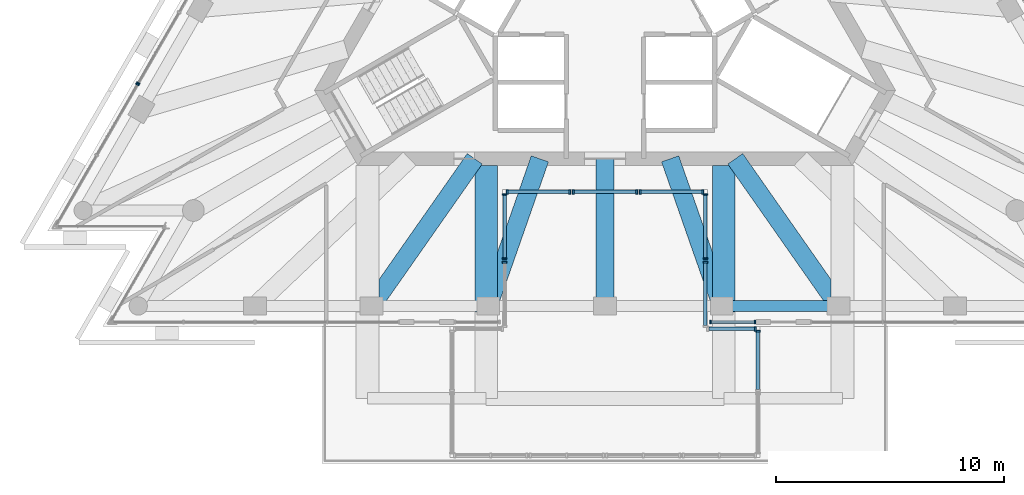
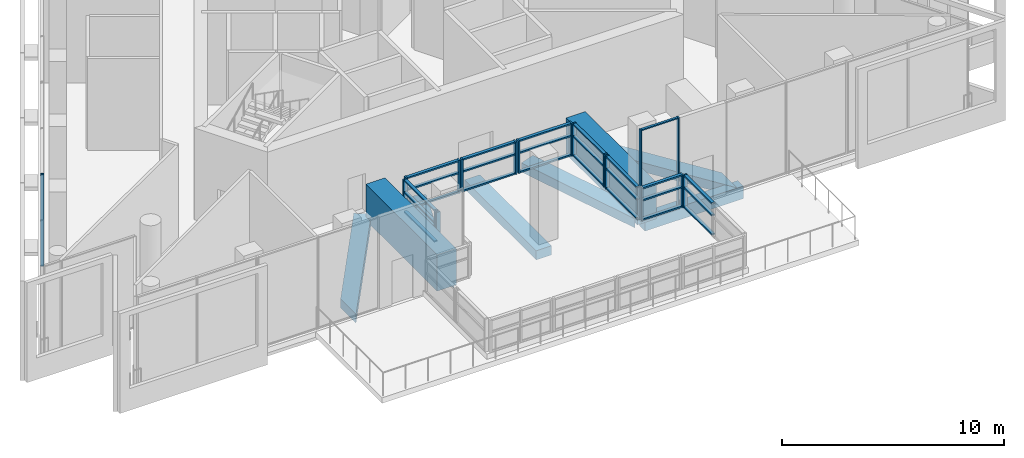
# One storey, part 4 of 17: 44 members, 8 beams, 12 elements without a shape of their own.
"""IFC4 building model written with IfcOpenShell, lengths in metres."""

from ifc_helpers import new_model, si_unit, direction, frame, origin, origin_2d, place, context, subcontext, project, spatial, rectangle, extrude, clip, halfspace, material, layer, layer_set, material_profile, profile_set, type_object, element, aggregate, save


model = new_model("IFC4")

# Units and contexts
model_context = context("Model", 3, precision=1e-05, world=origin(), true_north=direction((0.0, 1.0)))
body_context = subcontext(model_context, "Body", "Model", "MODEL_VIEW")
ifc_project = project(units=[si_unit("LENGTHUNIT", "METRE"), si_unit("AREAUNIT", "SQUARE_METRE"), si_unit("VOLUMEUNIT", "CUBIC_METRE"), si_unit("PLANEANGLEUNIT", "RADIAN"), si_unit("MASSUNIT", "GRAM", prefix="KILO")], contexts=[model_context])

# Site, building, storey
site_placement = place(None, origin())
site = spatial("IfcSite", under=ifc_project, at=site_placement, CompositionType="ELEMENT")
building_placement = place(site_placement, origin())
building = spatial("IfcBuilding", under=site, at=building_placement, Name="Triada Interchange Tower", CompositionType="ELEMENT")
storey_placement = place(building_placement, frame((0.0, 0.0, 322.300048828125)))
storey = spatial("IfcBuildingStorey", under=building, at=storey_placement, Name="L77", CompositionType="ELEMENT", Elevation=322.300048828125)

# Curtain wall, member
ifc_material_1 = material(Name="Aluminium framed glazing", Category="aluminium")
ifc_layer_1 = layer(ifc_material_1, 0.199951171875)
ifc_layer_set_1 = layer_set([ifc_layer_1], Name="Curtain wall Sky lobby glazing")
curtain_wall_type_1 = type_object("IfcCurtainWallType", Name="Curtain wall Sky lobby glazing", PredefinedType="NOTDEFINED", material=ifc_layer_set_1)
curtain_wall_1_placement = place(storey_placement, origin())
curtain_wall_1 = element("IfcCurtainWall", 1, at=curtain_wall_1_placement, inside=storey, type_object=curtain_wall_type_1, Name="Sky lobby glazing CW305 L77", PredefinedType="NOTDEFINED")
ifc_material_2 = material(Name="Aluminium", Category="aluminium")
ifc_material_profile_1 = material_profile(ifc_material_2, rectangle(XDim=0.159912109375, YDim=0.06005859375, at=origin_2d()), Name="Aluminium mullion")
ifc_profile_set_1 = profile_set([ifc_material_profile_1], Name="Aluminium")
member_type_1 = type_object("IfcMemberType", Name="Mullion Sky lobby glazing 160x60", PredefinedType="MULLION", material=ifc_profile_set_1)
member_1_placement = place(storey_placement, frame((-20.4560546875, -4.830078125, 0.0), z_axis=(0.0, 0.0, 1.0), x_axis=(0.866007823062, -0.500030449467, 0.0)))
member_1 = element("IfcMember", 2, at=member_1_placement, type_object=member_type_1, Name="CW305 mullion 3", PredefinedType="MULLION", context=body_context, shape_type="SweptSolid", body=[
    extrude(rectangle(XDim=0.159912109375, YDim=0.06005859375, at=origin_2d()), origin(), (0.0, 0.0, 1.0), 5.050048828125),
])
aggregate(curtain_wall_1, [member_1])

curtain_wall_2_placement = place(storey_placement, origin())
curtain_wall_2 = element("IfcCurtainWall", 3, at=curtain_wall_2_placement, inside=storey, type_object=curtain_wall_type_1, Name="Sky lobby glazing CW306 L77", PredefinedType="NOTDEFINED")
member_2_placement = place(storey_placement, frame((-20.490966796875, -4.889892578125, 0.0), z_axis=(0.0, 0.0, 1.0), x_axis=(0.866026395584, -0.49999828215, 0.0)))
member_2 = element("IfcMember", 4, at=member_2_placement, type_object=member_type_1, Name="CW306 mullion 1", PredefinedType="MULLION", context=body_context, shape_type="SweptSolid", body=[
    extrude(rectangle(XDim=0.159912109375, YDim=0.06005859375, at=origin_2d()), origin(), (0.0, 0.0, 1.0), 5.050048828125),
])
aggregate(curtain_wall_2, [member_2])

# Curtain wall, members
curtain_wall_3_placement = place(storey_placement, origin())
curtain_wall_3 = element("IfcCurtainWall", 5, at=curtain_wall_3_placement, inside=storey, type_object=curtain_wall_type_1, Name="Sky lobby glazing CW312 L77", PredefinedType="NOTDEFINED")
member_3_placement = place(storey_placement, frame((4.6298828125, -15.300048828125, 0.0), z_axis=(0.0, 0.0, 1.0), x_axis=(0.0, 1.0, 0.0)))
member_3 = element("IfcMember", 6, at=member_3_placement, type_object=member_type_1, Name="CW312 mullion 1", PredefinedType="MULLION", context=body_context, shape_type="SweptSolid", body=[
    extrude(rectangle(XDim=0.159912109375, YDim=0.06005859375, at=origin_2d()), origin(), (0.0, 0.0, 1.0), 5.050048828125),
])
member_4_placement = place(storey_placement, frame((6.580078125, -15.300048828125, 0.0), z_axis=(0.0, 0.0, 1.0), x_axis=(0.0, 1.0, 0.0)))
member_4 = element("IfcMember", 7, at=member_4_placement, type_object=member_type_1, Name="CW312 mullion 2", PredefinedType="MULLION", context=body_context, shape_type="SweptSolid", body=[
    extrude(rectangle(XDim=0.159912109375, YDim=0.06005859375, at=origin_2d()), origin(), (0.0, 0.0, 1.0), 5.050048828125),
])

# Curtain wall, member
ifc_layer_2 = layer(ifc_material_1, 0.199951171875)
ifc_layer_set_2 = layer_set([ifc_layer_2], Name="Curtain wall Sky pool enclosure")
curtain_wall_type_2 = type_object("IfcCurtainWallType", Name="Curtain wall Sky pool enclosure", PredefinedType="NOTDEFINED", material=ifc_layer_set_2)
curtain_wall_4_placement = place(storey_placement, origin())
curtain_wall_4 = element("IfcCurtainWall", 8, at=curtain_wall_4_placement, inside=storey, type_object=curtain_wall_type_2, Name="Sky pool enclosure CW901 L77", PredefinedType="NOTDEFINED")
ifc_material_profile_2 = material_profile(ifc_material_2, rectangle(XDim=0.199951171875, YDim=0.080078125, at=origin_2d()), Name="Aluminium mullion")
ifc_profile_set_2 = profile_set([ifc_material_profile_2], Name="Aluminium")
member_type_2 = type_object("IfcMemberType", Name="Mullion Sky pool enclosure 200x80", PredefinedType="MULLION", material=ifc_profile_set_2)
member_5_placement = place(storey_placement, frame((4.39990234375, -12.679931640625, 0.300048828125), z_axis=(0.0, 0.0, 1.0), x_axis=(-1.0, 0.0, 0.0)))
member_5 = element("IfcMember", 9, at=member_5_placement, type_object=member_type_2, Name="CW901 mullion 2", PredefinedType="MULLION", context=body_context, shape_type="SweptSolid", body=[
    extrude(rectangle(XDim=0.199951171875, YDim=0.080078125, at=origin_2d()), origin(), (0.0, 0.0, 1.0), 1.7998046875),
])

# Curtain wall, members
curtain_wall_5_placement = place(storey_placement, origin())
curtain_wall_5 = element("IfcCurtainWall", 10, at=curtain_wall_5_placement, inside=storey, type_object=curtain_wall_type_2, Name="Sky pool enclosure CW902 L77", PredefinedType="NOTDEFINED")
member_6_placement = place(storey_placement, frame((4.39990234375, -12.52001953125, 0.300048828125), z_axis=(0.0, 0.0, 1.0), x_axis=(-1.0, 0.0, 0.0)))
member_6 = element("IfcMember", 11, at=member_6_placement, type_object=member_type_2, Name="CW902 mullion 1", PredefinedType="MULLION", context=body_context, shape_type="SweptSolid", body=[
    extrude(rectangle(XDim=0.199951171875, YDim=0.080078125, at=origin_2d()), origin(), (0.0, 0.0, 1.0), 1.7998046875),
])
member_7_placement = place(storey_placement, frame((4.39990234375, -9.7099609375, 0.300048828125), z_axis=(0.0, 0.0, 1.0), x_axis=(-1.0, 0.0, 0.0)))
member_7 = element("IfcMember", 12, at=member_7_placement, type_object=member_type_2, Name="CW902 mullion 2", PredefinedType="MULLION", context=body_context, shape_type="SweptSolid", body=[
    extrude(rectangle(XDim=0.199951171875, YDim=0.080078125, at=origin_2d()), origin(), (0.0, 0.0, 1.0), 1.7998046875),
])

curtain_wall_6_placement = place(storey_placement, origin())
curtain_wall_6 = element("IfcCurtainWall", 13, at=curtain_wall_6_placement, inside=storey, type_object=curtain_wall_type_2, Name="Sky pool enclosure CW903 L77", PredefinedType="NOTDEFINED")
member_8_placement = place(storey_placement, frame((4.2900390625, -9.60009765625, 0.300048828125), z_axis=(0.0, 0.0, 1.0), x_axis=(0.0, -1.0, 0.0)))
member_8 = element("IfcMember", 14, at=member_8_placement, type_object=member_type_2, Name="CW903 mullion 1", PredefinedType="MULLION", context=body_context, shape_type="SweptSolid", body=[
    extrude(rectangle(XDim=0.199951171875, YDim=0.080078125, at=origin_2d()), origin(), (0.0, 0.0, 1.0), 1.7998046875),
])
member_9_placement = place(storey_placement, frame((1.547119140625, -9.60009765625, 0.300048828125), z_axis=(0.0, 0.0, 1.0), x_axis=(0.0, -1.0, 0.0)))
member_9 = element("IfcMember", 15, at=member_9_placement, type_object=member_type_2, Name="CW903 mullion 2", PredefinedType="MULLION", context=body_context, shape_type="SweptSolid", body=[
    extrude(rectangle(XDim=0.199951171875, YDim=0.080078125, at=origin_2d()), origin(), (0.0, 0.0, 1.0), 1.7998046875),
])

curtain_wall_7_placement = place(storey_placement, origin())
curtain_wall_7 = element("IfcCurtainWall", 16, at=curtain_wall_7_placement, inside=storey, type_object=curtain_wall_type_2, Name="Sky pool enclosure CW904 L77", PredefinedType="NOTDEFINED")
member_10_placement = place(storey_placement, frame((1.386962890625, -9.60009765625, 0.300048828125), z_axis=(0.0, 0.0, 1.0), x_axis=(0.0, -1.0, 0.0)))
member_10 = element("IfcMember", 17, at=member_10_placement, type_object=member_type_2, Name="CW904 mullion 1", PredefinedType="MULLION", context=body_context, shape_type="SweptSolid", body=[
    extrude(rectangle(XDim=0.199951171875, YDim=0.080078125, at=origin_2d()), origin(), (0.0, 0.0, 1.0), 1.7998046875),
])
member_11_placement = place(storey_placement, frame((-1.386962890625, -9.60009765625, 0.300048828125), z_axis=(0.0, 0.0, 1.0), x_axis=(0.0, -1.0, 0.0)))
member_11 = element("IfcMember", 18, at=member_11_placement, type_object=member_type_2, Name="CW904 mullion 2", PredefinedType="MULLION", context=body_context, shape_type="SweptSolid", body=[
    extrude(rectangle(XDim=0.199951171875, YDim=0.080078125, at=origin_2d()), origin(), (0.0, 0.0, 1.0), 1.7998046875),
])

curtain_wall_8_placement = place(storey_placement, origin())
curtain_wall_8 = element("IfcCurtainWall", 19, at=curtain_wall_8_placement, inside=storey, type_object=curtain_wall_type_2, Name="Sky pool enclosure CW905 L77", PredefinedType="NOTDEFINED")
member_12_placement = place(storey_placement, frame((-1.547119140625, -9.60009765625, 0.300048828125), z_axis=(0.0, 0.0, 1.0), x_axis=(0.0, -1.0, 0.0)))
member_12 = element("IfcMember", 20, at=member_12_placement, type_object=member_type_2, Name="CW905 mullion 1", PredefinedType="MULLION", context=body_context, shape_type="SweptSolid", body=[
    extrude(rectangle(XDim=0.199951171875, YDim=0.080078125, at=origin_2d()), origin(), (0.0, 0.0, 1.0), 1.7998046875),
])
member_13_placement = place(storey_placement, frame((-4.2900390625, -9.60009765625, 0.300048828125), z_axis=(0.0, 0.0, 1.0), x_axis=(0.0, -1.0, 0.0)))
member_13 = element("IfcMember", 21, at=member_13_placement, type_object=member_type_2, Name="CW905 mullion 2", PredefinedType="MULLION", context=body_context, shape_type="SweptSolid", body=[
    extrude(rectangle(XDim=0.199951171875, YDim=0.080078125, at=origin_2d()), origin(), (0.0, 0.0, 1.0), 1.7998046875),
])

curtain_wall_9_placement = place(storey_placement, origin())
curtain_wall_9 = element("IfcCurtainWall", 22, at=curtain_wall_9_placement, inside=storey, type_object=curtain_wall_type_2, Name="Sky pool enclosure CW906 L77", PredefinedType="NOTDEFINED")
member_14_placement = place(storey_placement, frame((-4.39990234375, -9.7099609375, 0.300048828125), z_axis=(0.0, 0.0, 1.0), x_axis=(1.0, 0.0, 0.0)))
member_14 = element("IfcMember", 23, at=member_14_placement, type_object=member_type_2, Name="CW906 mullion 1", PredefinedType="MULLION", context=body_context, shape_type="SweptSolid", body=[
    extrude(rectangle(XDim=0.199951171875, YDim=0.080078125, at=origin_2d()), origin(), (0.0, 0.0, 1.0), 1.7998046875),
])
member_15_placement = place(storey_placement, frame((-4.39990234375, -12.52001953125, 0.300048828125), z_axis=(0.0, 0.0, 1.0), x_axis=(1.0, 0.0, 0.0)))
member_15 = element("IfcMember", 24, at=member_15_placement, type_object=member_type_2, Name="CW906 mullion 2", PredefinedType="MULLION", context=body_context, shape_type="SweptSolid", body=[
    extrude(rectangle(XDim=0.199951171875, YDim=0.080078125, at=origin_2d()), origin(), (0.0, 0.0, 1.0), 1.7998046875),
])

# Curtain wall, member
curtain_wall_10_placement = place(storey_placement, origin())
curtain_wall_10 = element("IfcCurtainWall", 25, at=curtain_wall_10_placement, inside=storey, type_object=curtain_wall_type_2, Name="Sky pool enclosure CW907 L77", PredefinedType="NOTDEFINED")
member_16_placement = place(storey_placement, frame((-4.39990234375, -12.679931640625, 0.300048828125), z_axis=(0.0, 0.0, 1.0), x_axis=(1.0, 0.0, 0.0)))
member_16 = element("IfcMember", 26, at=member_16_placement, type_object=member_type_2, Name="CW907 mullion 1", PredefinedType="MULLION", context=body_context, shape_type="SweptSolid", body=[
    extrude(rectangle(XDim=0.199951171875, YDim=0.080078125, at=origin_2d()), origin(), (0.0, 0.0, 1.0), 1.7998046875),
])
aggregate(curtain_wall_10, [member_16])

curtain_wall_11_placement = place(storey_placement, origin())
curtain_wall_11 = element("IfcCurtainWall", 27, at=curtain_wall_11_placement, inside=storey, type_object=curtain_wall_type_2, Name="Sky pool enclosure CW916 L77", PredefinedType="NOTDEFINED")
member_17_placement = place(storey_placement, frame((6.699951171875, -15.7099609375, 0.300048828125), z_axis=(0.0, 0.0, 1.0), x_axis=(-1.0, 0.0, 0.0)))
member_17 = element("IfcMember", 28, at=member_17_placement, type_object=member_type_2, Name="CW916 mullion 2", PredefinedType="MULLION", context=body_context, shape_type="SweptSolid", body=[
    extrude(rectangle(XDim=0.199951171875, YDim=0.080078125, at=origin_2d()), origin(), (0.0, 0.0, 1.0), 1.7998046875),
])

curtain_wall_12_placement = place(storey_placement, origin())
curtain_wall_12 = element("IfcCurtainWall", 29, at=curtain_wall_12_placement, inside=storey, type_object=curtain_wall_type_2, Name="Sky pool enclosure CW917 L77", PredefinedType="NOTDEFINED")
member_18_placement = place(storey_placement, frame((6.590087890625, -15.60009765625, 0.300048828125), z_axis=(0.0, 0.0, 1.0), x_axis=(0.0, -1.0, 0.0)))
member_18 = element("IfcMember", 30, at=member_18_placement, type_object=member_type_2, Name="CW917 mullion 1", PredefinedType="MULLION", context=body_context, shape_type="SweptSolid", body=[
    extrude(rectangle(XDim=0.199951171875, YDim=0.080078125, at=origin_2d()), origin(), (0.0, 0.0, 1.0), 1.7998046875),
])

# Beams
ifc_material_3 = material(Name="Concrete C50/60", Category="concrete")
ifc_material_profile_3 = material_profile(ifc_material_3, rectangle(XDim=1.0, YDim=2.0, at=origin_2d()), Name="RC 1000x2000")
ifc_profile_set_3 = profile_set([ifc_material_profile_3], Name="Concrete C50/60")
beam_type_1 = type_object("IfcBeamType", Name="Pool back-span girder RC 1000x2000", PredefinedType="BEAM", material=ifc_profile_set_3)
for number, where, z_axis, x_axis, name in (
    (31, (-5.20703125, -8.449951171875, 0.5), (0.0, -1.0, 0.0), (1.0, 0.0, 0.0), "Pool back-span girder 2"),
    (32, (5.20703125, -8.449951171875, 0.5), (0.0, -1.0, 0.0), (1.0, 0.0, 0.0), "Pool back-span girder 3"),
):
    element("IfcBeam", number, at=place(storey_placement, frame(where, z_axis=z_axis, x_axis=x_axis)), inside=storey, type_object=beam_type_1, Name=name, PredefinedType="BEAM", context=body_context, shape_type="SweptSolid", body=[
        extrude(rectangle(XDim=1.0, YDim=2.0, at=origin_2d()), origin(), (0.0, 0.0, 1.0), 6.4130859375),
    ])
ifc_material_profile_4 = material_profile(ifc_material_3, rectangle(XDim=0.800048828125, YDim=0.5, at=origin_2d()), Name="RC 800x500")
ifc_profile_set_4 = profile_set([ifc_material_profile_4], Name="Concrete C50/60")
beam_type_2 = type_object("IfcBeamType", Name="Radial band beam D RC 800x500", PredefinedType="BEAM", material=ifc_profile_set_4)
beam_1_placement = place(storey_placement, frame((-10.77490234375, -15.3798828125, -0.550048828125), z_axis=(0.5738372018, 0.818969392487, 0.0), x_axis=(-0.818969392487, 0.5738372018, 0.0)))
element("IfcBeam", 33, at=beam_1_placement, inside=storey, type_object=beam_type_2, Name="Radial band beam BD13 L77", PredefinedType="BEAM", context=body_context, shape_type="Clipping", body=[
    clip(extrude(rectangle(XDim=0.800048828125, YDim=0.5, at=origin_2d()), origin(), (0.0, 0.0, 1.0), 8.828125), halfspace(frame((-0.408447265625, -321.75, 0.917236328125), z_axis=(0.818969392487, 0.0, -0.5738372018), x_axis=(0.0, -1.0, 0.0)), False)),
])
beam_2_placement = place(storey_placement, frame((-5.202880859375, -14.85400390625, -0.550048828125), z_axis=(0.330534132193, 0.943794038684, 0.0), x_axis=(-0.943794038684, 0.330534132193, 0.0)))
element("IfcBeam", 34, at=beam_2_placement, inside=storey, type_object=beam_type_2, Name="Radial band beam BD14 L77", PredefinedType="BEAM", context=body_context, shape_type="Clipping", body=[
    clip(extrude(rectangle(XDim=0.800048828125, YDim=0.5, at=origin_2d()), origin(), (0.0, 0.0, 1.0), 7.103271484375), halfspace(frame((-0.470947265625, -321.75, 0.1552734375), z_axis=(0.943794038684, 0.0, -0.330534132193), x_axis=(0.0, -1.0, 0.0)), False)),
])
beam_3_placement = place(storey_placement, frame((0.0, -14.60009765625, -0.550048828125), z_axis=(0.0, 1.0, 0.0), x_axis=(-1.0, 0.0, 0.0)))
element("IfcBeam", 35, at=beam_3_placement, inside=storey, type_object=beam_type_2, Name="Radial band beam BD15 L77", PredefinedType="BEAM", context=body_context, shape_type="SweptSolid", body=[
    extrude(rectangle(XDim=0.800048828125, YDim=0.5, at=origin_2d()), origin(), (0.0, 0.0, 1.0), 6.4501953125),
])
beam_4_placement = place(storey_placement, frame((5.202880859375, -14.85400390625, -0.550048828125), z_axis=(-0.330534132193, 0.943794038684, 0.0), x_axis=(-0.943794038684, -0.330534132193, 0.0)))
element("IfcBeam", 36, at=beam_4_placement, inside=storey, type_object=beam_type_2, Name="Radial band beam BD16 L77", PredefinedType="BEAM", context=body_context, shape_type="Clipping", body=[
    clip(extrude(rectangle(XDim=0.800048828125, YDim=0.5, at=origin_2d()), origin(), (0.0, 0.0, 1.0), 7.103271484375), halfspace(frame((-1.648681640625, -321.75, 6.2080078125), z_axis=(-0.943794038684, 0.0, -0.330534132193), x_axis=(0.0, 1.0, 0.0)), False)),
])
beam_5_placement = place(storey_placement, frame((10.77490234375, -15.3798828125, -0.550048828125), z_axis=(-0.5738372018, 0.818969392487, 0.0), x_axis=(-0.818969392487, -0.5738372018, 0.0)))
element("IfcBeam", 37, at=beam_5_placement, inside=storey, type_object=beam_type_2, Name="Radial band beam BD17 L77", PredefinedType="BEAM", context=body_context, shape_type="Clipping", body=[
    clip(extrude(rectangle(XDim=0.800048828125, YDim=0.5, at=origin_2d()), origin(), (0.0, 0.0, 1.0), 8.828125), halfspace(frame((-3.271728515625, -321.75, 6.16943359375), z_axis=(-0.818969392487, 0.0, -0.5738372018), x_axis=(0.0, 1.0, 0.0)), False)),
])
ifc_material_profile_5 = material_profile(ifc_material_3, rectangle(XDim=0.5, YDim=0.699951171875, at=origin_2d()), Name="RC 500x700")
ifc_profile_set_5 = profile_set([ifc_material_profile_5], Name="Concrete C50/60")
beam_type_3 = type_object("IfcBeamType", Name="Spandrel beam D RC 500x700", PredefinedType="BEAM", material=ifc_profile_set_5)
beam_6_placement = place(storey_placement, frame((5.114013671875, -14.60009765625, -0.650146484375), z_axis=(1.0, 0.0, 0.0), x_axis=(0.0, 1.0, 0.0)))
element("IfcBeam", 38, at=beam_6_placement, inside=storey, type_object=beam_type_3, Name="Spandrel beam ED16 L77", PredefinedType="BEAM", context=body_context, shape_type="SweptSolid", body=[
    extrude(rectangle(XDim=0.5, YDim=0.699951171875, at=origin_2d()), origin(), (0.0, 0.0, 1.0), 5.114013671875),
])

# Member
ifc_material_profile_6 = material_profile(ifc_material_2, rectangle(XDim=0.1201171875, YDim=0.06005859375, at=origin_2d()), Name="Aluminium transom")
ifc_profile_set_6 = profile_set([ifc_material_profile_6], Name="Aluminium")
member_type_3 = type_object("IfcMemberType", Name="Transom Sky lobby glazing 120x60", PredefinedType="USERDEFINED", material=ifc_profile_set_6)
member_19_placement = place(storey_placement, frame((4.659912109375, -15.300048828125, 0.030029296875), z_axis=(1.0, 0.0, 0.0), x_axis=(0.0, 1.0, 0.0)))
member_19 = element("IfcMember", 39, at=member_19_placement, type_object=member_type_3, Name="CW312 transom 1.1", ObjectType="TRANSOM", PredefinedType="USERDEFINED", context=body_context, shape_type="SweptSolid", body=[
    extrude(rectangle(XDim=0.1201171875, YDim=0.06005859375, at=origin_2d()), origin(), (0.0, 0.0, 1.0), 1.89013671875),
])

member_20_placement = place(storey_placement, frame((4.659912109375, -15.300048828125, 5.02001953125), z_axis=(1.0, 0.0, 0.0), x_axis=(0.0, 1.0, 0.0)))
member_20 = element("IfcMember", 40, at=member_20_placement, type_object=member_type_3, Name="CW312 transom 1.2", ObjectType="TRANSOM", PredefinedType="USERDEFINED", context=body_context, shape_type="SweptSolid", body=[
    extrude(rectangle(XDim=0.1201171875, YDim=0.06005859375, at=origin_2d()), origin(), (0.0, 0.0, 1.0), 1.89013671875),
])

aggregate(curtain_wall_3, [member_3, member_4, member_19, member_20])

ifc_material_profile_7 = material_profile(ifc_material_2, rectangle(XDim=0.159912109375, YDim=0.080078125, at=origin_2d()), Name="Aluminium transom")
ifc_profile_set_7 = profile_set([ifc_material_profile_7], Name="Aluminium")
member_type_4 = type_object("IfcMemberType", Name="Transom Sky pool enclosure 160x80", PredefinedType="USERDEFINED", material=ifc_profile_set_7)
member_21_placement = place(storey_placement, frame((4.39990234375, -15.449951171875, 0.33984375), z_axis=(0.0, 1.0, 0.0), x_axis=(-1.0, 0.0, 0.0)))
member_21 = element("IfcMember", 41, at=member_21_placement, type_object=member_type_4, Name="CW901 transom 1.1", ObjectType="TRANSOM", PredefinedType="USERDEFINED", context=body_context, shape_type="SweptSolid", body=[
    extrude(rectangle(XDim=0.159912109375, YDim=0.080078125, at=origin_2d()), origin(), (0.0, 0.0, 1.0), 2.72998046875),
])

member_22_placement = place(storey_placement, frame((4.39990234375, -15.449951171875, 1.39990234375), z_axis=(0.0, 1.0, 0.0), x_axis=(-1.0, 0.0, 0.0)))
member_22 = element("IfcMember", 42, at=member_22_placement, type_object=member_type_4, Name="CW901 transom 1.2", ObjectType="TRANSOM", PredefinedType="USERDEFINED", context=body_context, shape_type="SweptSolid", body=[
    extrude(rectangle(XDim=0.159912109375, YDim=0.080078125, at=origin_2d()), origin(), (0.0, 0.0, 1.0), 2.72998046875),
])

member_23_placement = place(storey_placement, frame((4.39990234375, -15.449951171875, 2.06005859375), z_axis=(0.0, 1.0, 0.0), x_axis=(-1.0, 0.0, 0.0)))
member_23 = element("IfcMember", 43, at=member_23_placement, type_object=member_type_4, Name="CW901 transom 1.3", ObjectType="TRANSOM", PredefinedType="USERDEFINED", context=body_context, shape_type="SweptSolid", body=[
    extrude(rectangle(XDim=0.159912109375, YDim=0.080078125, at=origin_2d()), origin(), (0.0, 0.0, 1.0), 2.72998046875),
])

aggregate(curtain_wall_4, [member_5, member_21, member_22, member_23])

member_24_placement = place(storey_placement, frame((4.39990234375, -12.47998046875, 0.33984375), z_axis=(0.0, 1.0, 0.0), x_axis=(-1.0, 0.0, 0.0)))
member_24 = element("IfcMember", 44, at=member_24_placement, type_object=member_type_4, Name="CW902 transom 1.1", ObjectType="TRANSOM", PredefinedType="USERDEFINED", context=body_context, shape_type="SweptSolid", body=[
    extrude(rectangle(XDim=0.159912109375, YDim=0.080078125, at=origin_2d()), origin(), (0.0, 0.0, 1.0), 2.72998046875),
])

member_25_placement = place(storey_placement, frame((4.39990234375, -12.47998046875, 1.39990234375), z_axis=(0.0, 1.0, 0.0), x_axis=(-1.0, 0.0, 0.0)))
member_25 = element("IfcMember", 45, at=member_25_placement, type_object=member_type_4, Name="CW902 transom 1.2", ObjectType="TRANSOM", PredefinedType="USERDEFINED", context=body_context, shape_type="SweptSolid", body=[
    extrude(rectangle(XDim=0.159912109375, YDim=0.080078125, at=origin_2d()), origin(), (0.0, 0.0, 1.0), 2.72998046875),
])

member_26_placement = place(storey_placement, frame((4.39990234375, -12.47998046875, 2.06005859375), z_axis=(0.0, 1.0, 0.0), x_axis=(-1.0, 0.0, 0.0)))
member_26 = element("IfcMember", 46, at=member_26_placement, type_object=member_type_4, Name="CW902 transom 1.3", ObjectType="TRANSOM", PredefinedType="USERDEFINED", context=body_context, shape_type="SweptSolid", body=[
    extrude(rectangle(XDim=0.159912109375, YDim=0.080078125, at=origin_2d()), origin(), (0.0, 0.0, 1.0), 2.72998046875),
])

aggregate(curtain_wall_5, [member_6, member_7, member_24, member_25, member_26])

member_27_placement = place(storey_placement, frame((4.25, -9.60009765625, 0.33984375), z_axis=(-1.0, 0.0, 0.0), x_axis=(0.0, -1.0, 0.0)))
member_27 = element("IfcMember", 47, at=member_27_placement, type_object=member_type_4, Name="CW903 transom 1.1", ObjectType="TRANSOM", PredefinedType="USERDEFINED", context=body_context, shape_type="SweptSolid", body=[
    extrude(rectangle(XDim=0.159912109375, YDim=0.080078125, at=origin_2d()), origin(), (0.0, 0.0, 1.0), 2.6630859375),
])

member_28_placement = place(storey_placement, frame((4.25, -9.60009765625, 1.39990234375), z_axis=(-1.0, 0.0, 0.0), x_axis=(0.0, -1.0, 0.0)))
member_28 = element("IfcMember", 48, at=member_28_placement, type_object=member_type_4, Name="CW903 transom 1.2", ObjectType="TRANSOM", PredefinedType="USERDEFINED", context=body_context, shape_type="SweptSolid", body=[
    extrude(rectangle(XDim=0.159912109375, YDim=0.080078125, at=origin_2d()), origin(), (0.0, 0.0, 1.0), 2.6630859375),
])

member_29_placement = place(storey_placement, frame((4.25, -9.60009765625, 2.06005859375), z_axis=(-1.0, 0.0, 0.0), x_axis=(0.0, -1.0, 0.0)))
member_29 = element("IfcMember", 49, at=member_29_placement, type_object=member_type_4, Name="CW903 transom 1.3", ObjectType="TRANSOM", PredefinedType="USERDEFINED", context=body_context, shape_type="SweptSolid", body=[
    extrude(rectangle(XDim=0.159912109375, YDim=0.080078125, at=origin_2d()), origin(), (0.0, 0.0, 1.0), 2.6630859375),
])

aggregate(curtain_wall_6, [member_8, member_9, member_27, member_28, member_29])

member_30_placement = place(storey_placement, frame((1.346923828125, -9.60009765625, 0.33984375), z_axis=(-1.0, 0.0, 0.0), x_axis=(0.0, -1.0, 0.0)))
member_30 = element("IfcMember", 50, at=member_30_placement, type_object=member_type_4, Name="CW904 transom 1.1", ObjectType="TRANSOM", PredefinedType="USERDEFINED", context=body_context, shape_type="SweptSolid", body=[
    extrude(rectangle(XDim=0.159912109375, YDim=0.080078125, at=origin_2d()), origin(), (0.0, 0.0, 1.0), 2.69384765625),
])

member_31_placement = place(storey_placement, frame((1.346923828125, -9.60009765625, 1.39990234375), z_axis=(-1.0, 0.0, 0.0), x_axis=(0.0, -1.0, 0.0)))
member_31 = element("IfcMember", 51, at=member_31_placement, type_object=member_type_4, Name="CW904 transom 1.2", ObjectType="TRANSOM", PredefinedType="USERDEFINED", context=body_context, shape_type="SweptSolid", body=[
    extrude(rectangle(XDim=0.159912109375, YDim=0.080078125, at=origin_2d()), origin(), (0.0, 0.0, 1.0), 2.69384765625),
])

member_32_placement = place(storey_placement, frame((1.346923828125, -9.60009765625, 2.06005859375), z_axis=(-1.0, 0.0, 0.0), x_axis=(0.0, -1.0, 0.0)))
member_32 = element("IfcMember", 52, at=member_32_placement, type_object=member_type_4, Name="CW904 transom 1.3", ObjectType="TRANSOM", PredefinedType="USERDEFINED", context=body_context, shape_type="SweptSolid", body=[
    extrude(rectangle(XDim=0.159912109375, YDim=0.080078125, at=origin_2d()), origin(), (0.0, 0.0, 1.0), 2.69384765625),
])

aggregate(curtain_wall_7, [member_10, member_11, member_30, member_31, member_32])

member_33_placement = place(storey_placement, frame((-1.5869140625, -9.60009765625, 0.33984375), z_axis=(-1.0, 0.0, 0.0), x_axis=(0.0, -1.0, 0.0)))
member_33 = element("IfcMember", 53, at=member_33_placement, type_object=member_type_4, Name="CW905 transom 1.1", ObjectType="TRANSOM", PredefinedType="USERDEFINED", context=body_context, shape_type="SweptSolid", body=[
    extrude(rectangle(XDim=0.159912109375, YDim=0.080078125, at=origin_2d()), origin(), (0.0, 0.0, 1.0), 2.6630859375),
])

member_34_placement = place(storey_placement, frame((-1.5869140625, -9.60009765625, 1.39990234375), z_axis=(-1.0, 0.0, 0.0), x_axis=(0.0, -1.0, 0.0)))
member_34 = element("IfcMember", 54, at=member_34_placement, type_object=member_type_4, Name="CW905 transom 1.2", ObjectType="TRANSOM", PredefinedType="USERDEFINED", context=body_context, shape_type="SweptSolid", body=[
    extrude(rectangle(XDim=0.159912109375, YDim=0.080078125, at=origin_2d()), origin(), (0.0, 0.0, 1.0), 2.6630859375),
])

member_35_placement = place(storey_placement, frame((-1.5869140625, -9.60009765625, 2.06005859375), z_axis=(-1.0, 0.0, 0.0), x_axis=(0.0, -1.0, 0.0)))
member_35 = element("IfcMember", 55, at=member_35_placement, type_object=member_type_4, Name="CW905 transom 1.3", ObjectType="TRANSOM", PredefinedType="USERDEFINED", context=body_context, shape_type="SweptSolid", body=[
    extrude(rectangle(XDim=0.159912109375, YDim=0.080078125, at=origin_2d()), origin(), (0.0, 0.0, 1.0), 2.6630859375),
])

aggregate(curtain_wall_8, [member_12, member_13, member_33, member_34, member_35])

member_36_placement = place(storey_placement, frame((-4.39990234375, -9.75, 0.33984375), z_axis=(0.0, -1.0, 0.0), x_axis=(1.0, 0.0, 0.0)))
member_36 = element("IfcMember", 56, at=member_36_placement, type_object=member_type_4, Name="CW906 transom 1.1", ObjectType="TRANSOM", PredefinedType="USERDEFINED", context=body_context, shape_type="SweptSolid", body=[
    extrude(rectangle(XDim=0.159912109375, YDim=0.080078125, at=origin_2d()), origin(), (0.0, 0.0, 1.0), 2.72998046875),
])

member_37_placement = place(storey_placement, frame((-4.39990234375, -9.75, 1.39990234375), z_axis=(0.0, -1.0, 0.0), x_axis=(1.0, 0.0, 0.0)))
member_37 = element("IfcMember", 57, at=member_37_placement, type_object=member_type_4, Name="CW906 transom 1.2", ObjectType="TRANSOM", PredefinedType="USERDEFINED", context=body_context, shape_type="SweptSolid", body=[
    extrude(rectangle(XDim=0.159912109375, YDim=0.080078125, at=origin_2d()), origin(), (0.0, 0.0, 1.0), 2.72998046875),
])

member_38_placement = place(storey_placement, frame((-4.39990234375, -9.75, 2.06005859375), z_axis=(0.0, -1.0, 0.0), x_axis=(1.0, 0.0, 0.0)))
member_38 = element("IfcMember", 58, at=member_38_placement, type_object=member_type_4, Name="CW906 transom 1.3", ObjectType="TRANSOM", PredefinedType="USERDEFINED", context=body_context, shape_type="SweptSolid", body=[
    extrude(rectangle(XDim=0.159912109375, YDim=0.080078125, at=origin_2d()), origin(), (0.0, 0.0, 1.0), 2.72998046875),
])

aggregate(curtain_wall_9, [member_14, member_15, member_36, member_37, member_38])

member_39_placement = place(storey_placement, frame((6.699951171875, -18.2548828125, 0.33984375), z_axis=(0.0, 1.0, 0.0), x_axis=(-1.0, 0.0, 0.0)))
member_39 = element("IfcMember", 59, at=member_39_placement, type_object=member_type_4, Name="CW916 transom 1.1", ObjectType="TRANSOM", PredefinedType="USERDEFINED", context=body_context, shape_type="SweptSolid", body=[
    extrude(rectangle(XDim=0.159912109375, YDim=0.080078125, at=origin_2d()), origin(), (0.0, 0.0, 1.0), 2.5048828125),
])

member_40_placement = place(storey_placement, frame((6.699951171875, -18.2548828125, 1.39990234375), z_axis=(0.0, 1.0, 0.0), x_axis=(-1.0, 0.0, 0.0)))
member_40 = element("IfcMember", 60, at=member_40_placement, type_object=member_type_4, Name="CW916 transom 1.2", ObjectType="TRANSOM", PredefinedType="USERDEFINED", context=body_context, shape_type="SweptSolid", body=[
    extrude(rectangle(XDim=0.159912109375, YDim=0.080078125, at=origin_2d()), origin(), (0.0, 0.0, 1.0), 2.5048828125),
])

member_41_placement = place(storey_placement, frame((6.699951171875, -18.2548828125, 2.06005859375), z_axis=(0.0, 1.0, 0.0), x_axis=(-1.0, 0.0, 0.0)))
member_41 = element("IfcMember", 61, at=member_41_placement, type_object=member_type_4, Name="CW916 transom 1.3", ObjectType="TRANSOM", PredefinedType="USERDEFINED", context=body_context, shape_type="SweptSolid", body=[
    extrude(rectangle(XDim=0.159912109375, YDim=0.080078125, at=origin_2d()), origin(), (0.0, 0.0, 1.0), 2.5048828125),
])

aggregate(curtain_wall_11, [member_17, member_39, member_40, member_41])

member_42_placement = place(storey_placement, frame((6.550048828125, -15.60009765625, 0.33984375), z_axis=(-1.0, 0.0, 0.0), x_axis=(0.0, -1.0, 0.0)))
member_42 = element("IfcMember", 62, at=member_42_placement, type_object=member_type_4, Name="CW917 transom 1.1", ObjectType="TRANSOM", PredefinedType="USERDEFINED", context=body_context, shape_type="SweptSolid", body=[
    extrude(rectangle(XDim=0.159912109375, YDim=0.080078125, at=origin_2d()), origin(), (0.0, 0.0, 1.0), 2.0),
])

member_43_placement = place(storey_placement, frame((6.550048828125, -15.60009765625, 1.39990234375), z_axis=(-1.0, 0.0, 0.0), x_axis=(0.0, -1.0, 0.0)))
member_43 = element("IfcMember", 63, at=member_43_placement, type_object=member_type_4, Name="CW917 transom 1.2", ObjectType="TRANSOM", PredefinedType="USERDEFINED", context=body_context, shape_type="SweptSolid", body=[
    extrude(rectangle(XDim=0.159912109375, YDim=0.080078125, at=origin_2d()), origin(), (0.0, 0.0, 1.0), 2.0),
])

member_44_placement = place(storey_placement, frame((6.550048828125, -15.60009765625, 2.06005859375), z_axis=(-1.0, 0.0, 0.0), x_axis=(0.0, -1.0, 0.0)))
member_44 = element("IfcMember", 64, at=member_44_placement, type_object=member_type_4, Name="CW917 transom 1.3", ObjectType="TRANSOM", PredefinedType="USERDEFINED", context=body_context, shape_type="SweptSolid", body=[
    extrude(rectangle(XDim=0.159912109375, YDim=0.080078125, at=origin_2d()), origin(), (0.0, 0.0, 1.0), 2.0),
])

aggregate(curtain_wall_12, [member_18, member_42, member_43, member_44])

save(model, "model.ifc")
